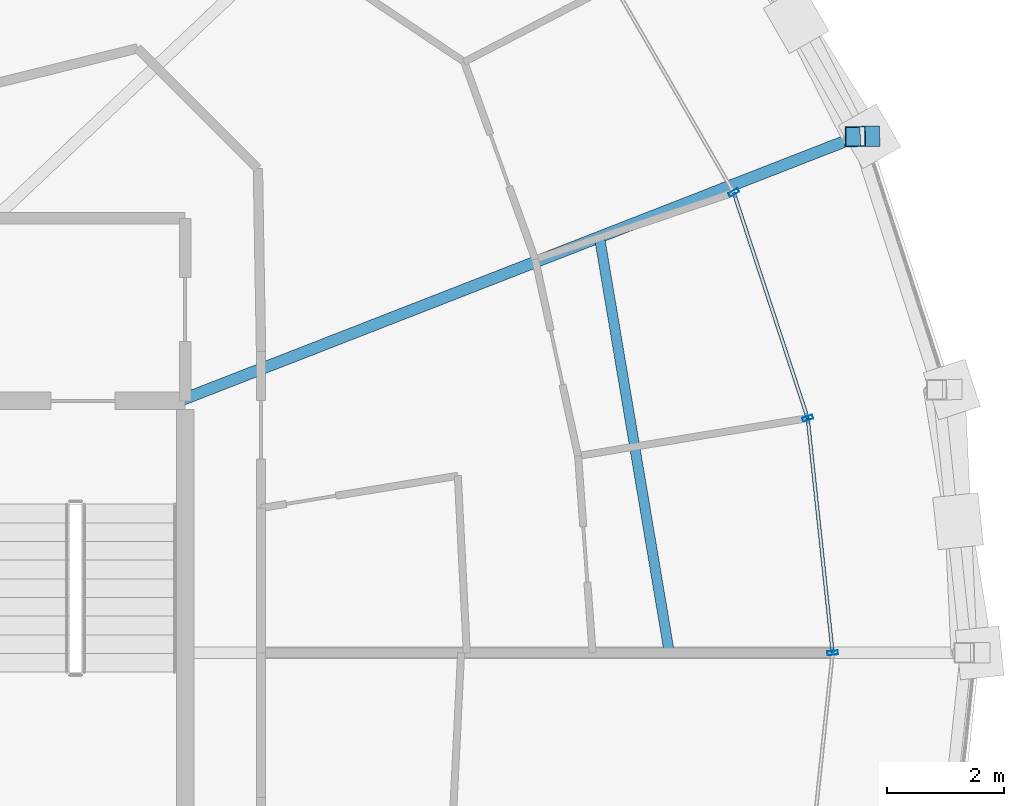
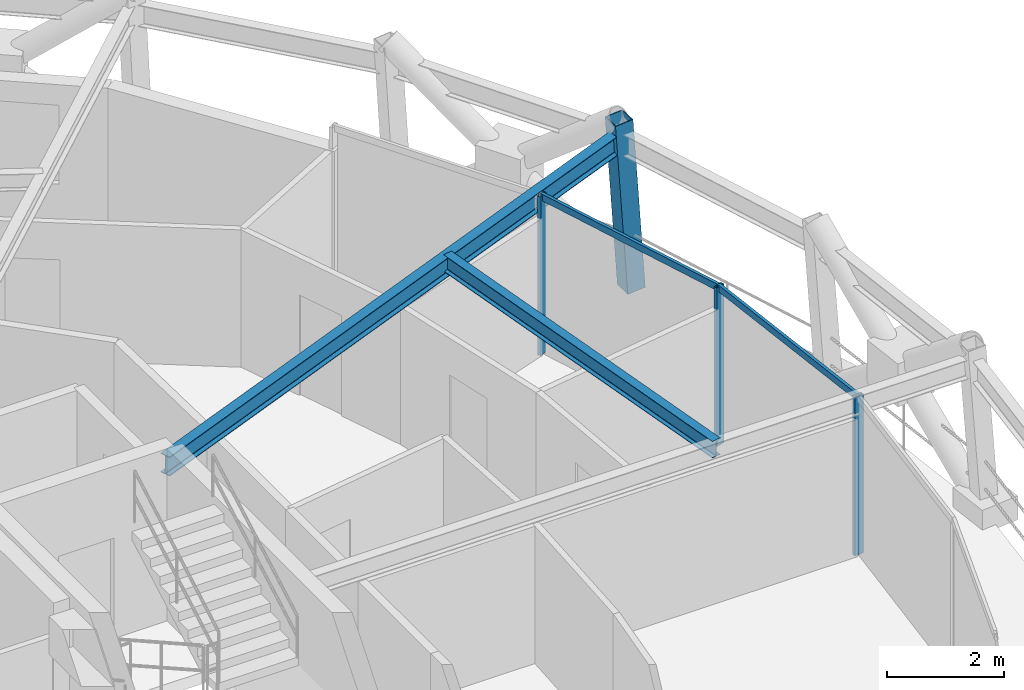
# One storey, part 8 of 17: 6 members, 2 beams, 1 element without a shape of its own.
"""IFC4 building model written with IfcOpenShell, lengths in metres."""

from ifc_helpers import new_model, si_unit, direction, frame, origin, origin_2d, place, context, subcontext, project, spatial, hollow_rectangle, i_section, extrude, material, layer, layer_set, material_profile, profile_set, type_object, element, aggregate, save


model = new_model("IFC4")

# Units and contexts
model_context = context("Model", 3, precision=1e-05, world=origin(), true_north=direction((0.0, 1.0)))
body_context = subcontext(model_context, "Body", "Model", "MODEL_VIEW")
ifc_project = project(units=[si_unit("LENGTHUNIT", "METRE"), si_unit("AREAUNIT", "SQUARE_METRE"), si_unit("VOLUMEUNIT", "CUBIC_METRE"), si_unit("PLANEANGLEUNIT", "RADIAN"), si_unit("MASSUNIT", "GRAM", prefix="KILO")], contexts=[model_context])

# Site, building, storey
site_placement = place(None, origin())
site = spatial("IfcSite", under=ifc_project, at=site_placement, CompositionType="ELEMENT")
building_placement = place(site_placement, origin())
building = spatial("IfcBuilding", under=site, at=building_placement, Name="Veldorina Hangang Commons", CompositionType="ELEMENT")
storey_placement = place(building_placement, frame((0.0, 0.0, 225.60009765625)))
storey = spatial("IfcBuildingStorey", under=building, at=storey_placement, Name="L58", CompositionType="ELEMENT", Elevation=225.60009765625)

# Beams
ifc_material_1 = material(Name="Steel SM355-TMC", Category="steel")
ifc_material_profile_1 = material_profile(ifc_material_1, i_section(OverallWidth=0.199951171875, OverallDepth=0.39990234375, WebThickness=0.008056640625, FlangeThickness=0.012939453125, FilletRadius=0.012939453125, at=origin_2d()), Name="H-400x200x8x13")
ifc_profile_set_1 = profile_set([ifc_material_profile_1], Name="Steel SM355-TMC")
beam_type_1 = type_object("IfcBeamType", Name="BM-FG400", PredefinedType="BEAM", material=ifc_profile_set_1)
beam_1_placement = place(storey_placement, frame((43.0771484375, 28.320068359375, 3.159912109375), z_axis=(0.931654555107, 0.363345276492, 0.0), x_axis=(-0.363345276492, 0.931654555107, 0.0)))
element("IfcBeam", 1, at=beam_1_placement, inside=storey, type_object=beam_type_1, Name="L58 radial floor girder 02", PredefinedType="BEAM", context=body_context, shape_type="SweptSolid", body=[
    extrude(i_section(OverallWidth=0.199951171875, OverallDepth=0.39990234375, WebThickness=0.008056640625, FlangeThickness=0.012939453125, FilletRadius=0.012939453125, at=origin_2d()), origin(), (0.0, 0.0, 1.0), 12.4736328125),
])
ifc_material_profile_2 = material_profile(ifc_material_1, i_section(OverallWidth=0.175048828125, OverallDepth=0.35009765625, WebThickness=0.007080078125, FlangeThickness=0.010986328125, FilletRadius=0.012939453125, at=origin_2d()), Name="H-350x175x7x11")
ifc_profile_set_2 = profile_set([ifc_material_profile_2], Name="Steel SM355-TMC")
beam_type_2 = type_object("IfcBeamType", Name="BM-JST350", PredefinedType="JOIST", material=ifc_profile_set_2)
beam_2_placement = place(storey_placement, frame((51.480712890625, 24.0, 3.184814453125), z_axis=(-0.165767807694, 0.986164810735, 0.0), x_axis=(-0.986164810735, -0.165767807694, 0.0)))
element("IfcBeam", 2, at=beam_2_placement, inside=storey, type_object=beam_type_2, Name="L58 secondary floor joist 01", PredefinedType="JOIST", context=body_context, shape_type="SweptSolid", body=[
    extrude(i_section(OverallWidth=0.175048828125, OverallDepth=0.35009765625, WebThickness=0.007080078125, FlangeThickness=0.010986328125, FilletRadius=0.012939453125, at=origin_2d()), origin(), (0.0, 0.0, 1.0), 7.22998046875),
])

# Curtain wall, members
ifc_material_2 = material(Name="Glass Low-E Selective", Category="glass")
ifc_layer = layer(ifc_material_2, 0.179931640625)
ifc_layer_set = layer_set([ifc_layer], Name="Glass Low-E Selective")
curtain_wall_type = type_object("IfcCurtainWallType", Name="CW-SYS-Z3", PredefinedType="NOTDEFINED", material=ifc_layer_set)
curtain_wall_placement = place(storey_placement, origin())
curtain_wall = element("IfcCurtainWall", 3, at=curtain_wall_placement, inside=storey, type_object=curtain_wall_type, Name="L58 unitised curtain wall CW-L58-R2", PredefinedType="NOTDEFINED")
ifc_material_3 = material(Name="Aluminium Anodized AA6063-T6", Category="aluminium")
ifc_material_profile_3 = material_profile(ifc_material_3, hollow_rectangle(XDim=0.070068359375, YDim=0.179931640625, WallThickness=0.00390625, at=origin_2d()), Name="ALU-RHS-180x70x4")
ifc_profile_set_3 = profile_set([ifc_material_profile_3], Name="Aluminium Anodized AA6063-T6")
member_type_1 = type_object("IfcMemberType", Name="CW-MUL-180", PredefinedType="MULLION", material=ifc_profile_set_3)
member_1_placement = place(storey_placement, frame((54.280517578125, 24.0, 0.0), z_axis=(0.0, 0.0, 1.0), x_axis=(-0.105812844165, 0.99438606286, 0.0)))
member_1 = element("IfcMember", 4, at=member_1_placement, type_object=member_type_1, Name="CW-L58-R2 vertical mullion 2", PredefinedType="MULLION", context=body_context, shape_type="SweptSolid", body=[
    extrude(hollow_rectangle(XDim=0.070068359375, YDim=0.179931640625, WallThickness=0.00390625, at=origin_2d()), origin(), (0.0, 0.0, 1.0), 3.31982421875),
])
member_2_placement = place(storey_placement, frame((53.8525390625, 28.023193359375, 0.0), z_axis=(0.0, 0.0, 1.0), x_axis=(-0.311439452361, 0.950265998294, 0.0)))
member_2 = element("IfcMember", 5, at=member_2_placement, type_object=member_type_1, Name="CW-L58-R2 vertical mullion 3", PredefinedType="MULLION", context=body_context, shape_type="SweptSolid", body=[
    extrude(hollow_rectangle(XDim=0.070068359375, YDim=0.179931640625, WallThickness=0.00390625, at=origin_2d()), origin(), (0.0, 0.0, 1.0), 3.31982421875),
])
member_3_placement = place(storey_placement, frame((52.584716796875, 31.891845703125, 0.0), z_axis=(0.0, 0.0, 1.0), x_axis=(-0.500105801231, 0.865964310798, 0.0)))
member_3 = element("IfcMember", 6, at=member_3_placement, type_object=member_type_1, Name="CW-L58-R2 vertical mullion 4", PredefinedType="MULLION", context=body_context, shape_type="SweptSolid", body=[
    extrude(hollow_rectangle(XDim=0.070068359375, YDim=0.179931640625, WallThickness=0.00390625, at=origin_2d()), origin(), (0.0, 0.0, 1.0), 3.31982421875),
])
ifc_material_profile_4 = material_profile(ifc_material_3, hollow_rectangle(XDim=0.06005859375, YDim=0.139892578125, WallThickness=0.00341796875, at=origin_2d()), Name="ALU-RHS-140x60x3.5")
ifc_profile_set_4 = profile_set([ifc_material_profile_4], Name="Aluminium Anodized AA6063-T6")
member_type_2 = type_object("IfcMemberType", Name="CW-TRN-140", PredefinedType="USERDEFINED", material=ifc_profile_set_4)
member_4_placement = place(storey_placement, frame((54.280517578125, 24.0, 3.27978515625), z_axis=(-0.105780976503, 0.994389453388, 0.0), x_axis=(-0.994389453388, -0.105780976503, 0.0)))
member_4 = element("IfcMember", 7, at=member_4_placement, type_object=member_type_2, Name="CW-L58-R2 facet 3 transom 1", ObjectType="TRANSOM", PredefinedType="USERDEFINED", context=body_context, shape_type="SweptSolid", body=[
    extrude(hollow_rectangle(XDim=0.06005859375, YDim=0.139892578125, WallThickness=0.00341796875, at=origin_2d()), origin(), (0.0, 0.0, 1.0), 4.0458984375),
])
member_5_placement = place(storey_placement, frame((53.8525390625, 28.023193359375, 3.27978515625), z_axis=(-0.311420177511, 0.950272315202, 0.0), x_axis=(-0.950272315202, -0.311420177511, 0.0)))
member_5 = element("IfcMember", 8, at=member_5_placement, type_object=member_type_2, Name="CW-L58-R2 facet 4 transom 1", ObjectType="TRANSOM", PredefinedType="USERDEFINED", context=body_context, shape_type="SweptSolid", body=[
    extrude(hollow_rectangle(XDim=0.06005859375, YDim=0.139892578125, WallThickness=0.00341796875, at=origin_2d()), origin(), (0.0, 0.0, 1.0), 4.071044921875),
])
aggregate(curtain_wall, [member_1, member_2, member_3, member_4, member_5])

# Member
ifc_material_profile_5 = material_profile(ifc_material_1, hollow_rectangle(XDim=0.35009765625, YDim=0.35009765625, WallThickness=0.01611328125, at=origin_2d()), Name="SHS-350x350x16")
ifc_profile_set_5 = profile_set([ifc_material_profile_5], Name="Steel SM355-TMC")
member_type_3 = type_object("IfcMemberType", Name="STR-SHS350", PredefinedType="STRUT", material=ifc_profile_set_5)
member_6_placement = place(storey_placement, frame((54.912841796875, 32.856201171875, 0.0), z_axis=(-0.068270263131, -0.001285564915, 0.997666035552), x_axis=(0.018827187615, -0.999822752795, 0.0)))
element("IfcMember", 9, at=member_6_placement, inside=storey, type_object=member_type_3, Name="L58 perimeter ring node post 02", PredefinedType="STRUT", context=body_context, shape_type="SweptSolid", body=[
    extrude(hollow_rectangle(XDim=0.35009765625, YDim=0.35009765625, WallThickness=0.01611328125, at=origin_2d()), origin(), (0.0, 0.0, 1.0), 3.608154296875),
])

save(model, "model.ifc")
